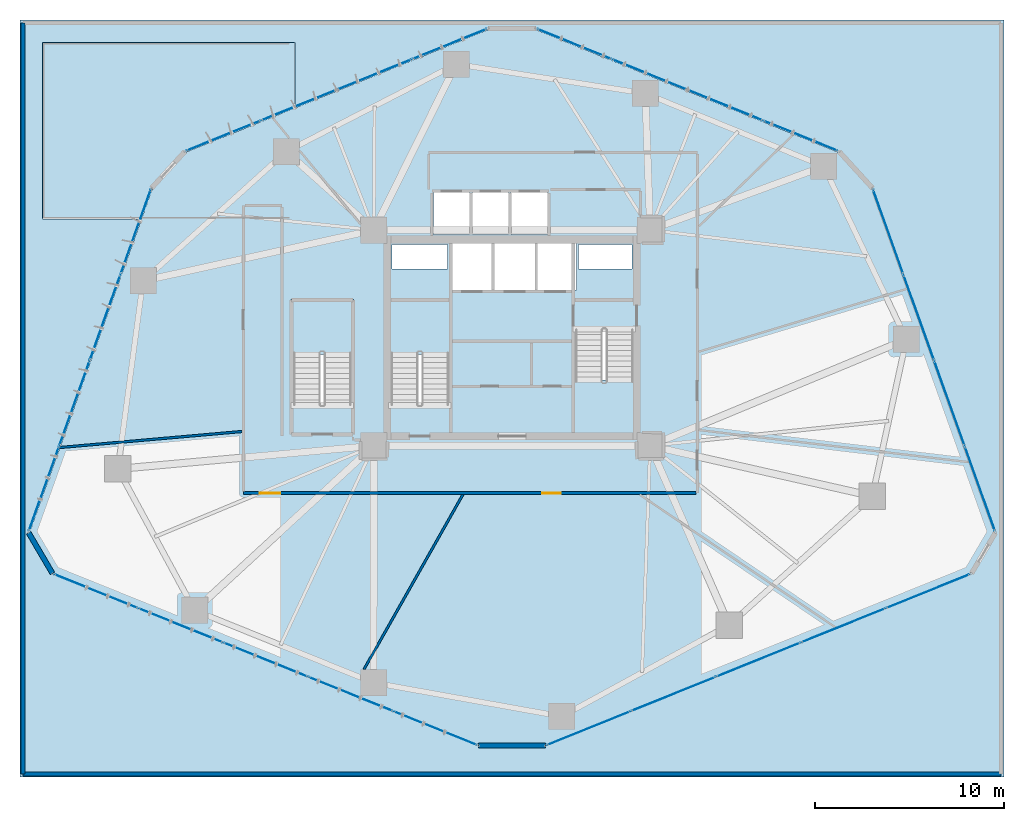
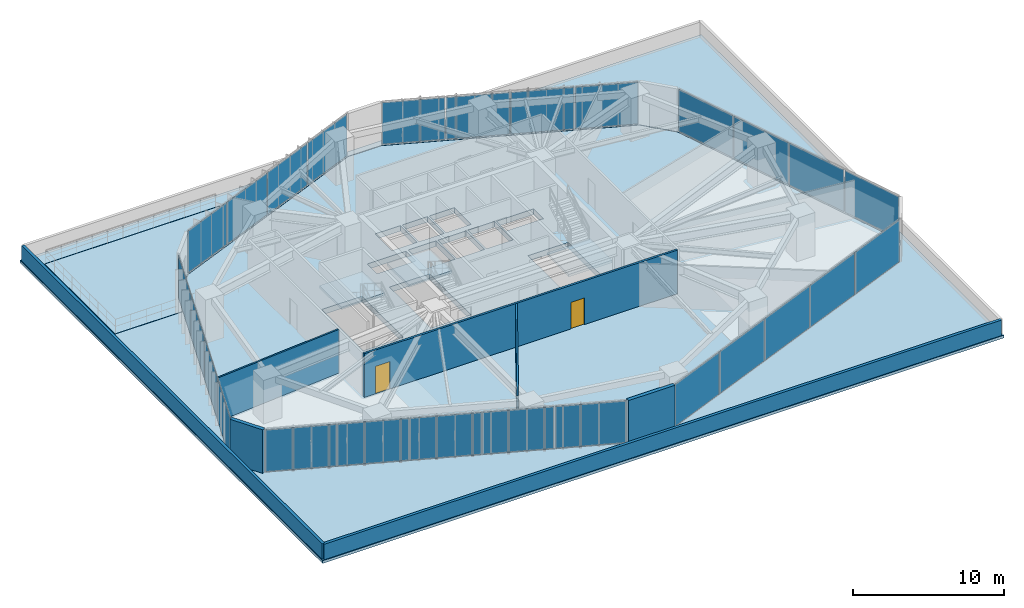
# One storey, part 17 of 23: 26 plates, 7 walls, 6 slabs, 2 doors, 2 openings, 9 elements without a shape of their own.
"""IFC4 building model written with IfcOpenShell, lengths in metres."""

import ifcopenshell
import ifcopenshell.guid

model = None  # the IFC model being written
_history = None  # IfcOwnerHistory: only IFC2X3 demands one
_inside = {}  # id of a spatial element -> (the spatial element, [elements in it])
_under = {}  # id of a project, library or spatial element -> (it, [spatial elements below it])
_declared = {}  # id of a project -> (the project, [libraries it declares])
_typed = {}  # id of a type object -> (the type object, [elements of that type])
_made_of = {}  # id of a material, layer set ... -> (it, [elements and type objects made of it])


def new_model(schema):
    """Start an empty IFC model of exactly this schema.

    Asked for "IFC4X3", IfcOpenShell would pick the latest addendum, in which some entities
    have other attributes; the version numbers below select the first issue.
    IFC2X3 requires an IfcOwnerHistory on every rooted entity: one is made here for all.
    """
    global model, _history
    if schema == "IFC4X3":
        model = ifcopenshell.file(schema_version=(4, 3, 0, 0))
    else:
        model = ifcopenshell.file(schema=schema)
    _inside.clear()
    _under.clear()
    _declared.clear()
    _typed.clear()
    _made_of.clear()
    _history = None
    if model.schema == "IFC2X3":
        org = make("IfcOrganization", Name="unknown")
        user = make(
            "IfcPersonAndOrganization",
            ThePerson=make("IfcPerson", FamilyName="unknown"),
            TheOrganization=org,
        )
        app = make(
            "IfcApplication",
            ApplicationDeveloper=org,
            Version="unknown",
            ApplicationFullName="unknown",
            ApplicationIdentifier="unknown",
        )
        _history = make(
            "IfcOwnerHistory",
            OwningUser=user,
            OwningApplication=app,
            ChangeAction="ADDED",
            CreationDate=0,
        )
    return model


def make(cls, **values):
    """One entity of the class cls with the attributes given. An attribute that is None is left unset."""
    return model.create_entity(
        cls, **{name: value for name, value in values.items() if value is not None}
    )


def rooted(cls, **values):
    """An entity with a GlobalId (a new one), such as an element, a storey or a relation."""
    return make(cls, GlobalId=ifcopenshell.guid.new(), OwnerHistory=_history, **values)


def si_unit(unit_type, name, prefix=None):
    """IfcSIUnit, for example si_unit("LENGTHUNIT", "METRE", prefix="MILLI")."""
    return make("IfcSIUnit", UnitType=unit_type, Prefix=prefix, Name=name)


def assignment(units):
    """IfcUnitAssignment: the units of a project."""
    return None if units is None else make("IfcUnitAssignment", Units=units)


def point(xyz):
    """IfcCartesianPoint."""
    return None if xyz is None else make("IfcCartesianPoint", Coordinates=xyz)


def direction(xyz):
    """IfcDirection."""
    return None if xyz is None else make("IfcDirection", DirectionRatios=xyz)


def frame(location, z_axis=None, x_axis=None):
    """IfcAxis2Placement3D, a coordinate frame: its origin and axes. An axis left out is left unset."""
    return make(
        "IfcAxis2Placement3D",
        Location=point(location),
        Axis=direction(z_axis),
        RefDirection=direction(x_axis),
    )


def frame_2d(location, x_axis=None):
    """IfcAxis2Placement2D, a coordinate frame in the plane: its origin and x axis."""
    return make(
        "IfcAxis2Placement2D", Location=point(location), RefDirection=direction(x_axis)
    )


def origin():
    """The frame at (0, 0, 0) with its axes left unset."""
    return frame((0.0, 0.0, 0.0))


def origin_2d():
    """The frame at (0, 0) in the plane with its x axis left unset."""
    return frame_2d((0.0, 0.0))


def place(relative_to, where):
    """IfcLocalPlacement: puts the frame where relative to a parent placement (None: the world)."""
    return make(
        "IfcLocalPlacement", PlacementRelTo=relative_to, RelativePlacement=where
    )


def context(
    kind, dimensions, precision=None, world=None, true_north=None, identifier=None
):
    """IfcGeometricRepresentationContext, for example the 3D "Model" context."""
    return make(
        "IfcGeometricRepresentationContext",
        ContextIdentifier=identifier,
        ContextType=kind,
        CoordinateSpaceDimension=dimensions,
        Precision=precision,
        WorldCoordinateSystem=world,
        TrueNorth=true_north,
    )


def subcontext(parent, identifier, kind, view, scale=None):
    """IfcGeometricRepresentationSubContext, for example "Body" below "Model"."""
    return make(
        "IfcGeometricRepresentationSubContext",
        ContextIdentifier=identifier,
        ContextType=kind,
        ParentContext=parent,
        TargetScale=scale,
        TargetView=view,
    )


def project(units=None, contexts=None):
    """IfcProject with its units and contexts."""
    return rooted(
        "IfcProject",
        Name="project",
        RepresentationContexts=contexts,
        UnitsInContext=assignment(units),
    )


def spatial(cls, under=None, at=None, **own):
    """A site, building, storey or space (cls), placed at a placement, below another one or the project."""
    s = rooted(cls, ObjectPlacement=at, **own)
    if under is not None:
        _under.setdefault(under.id(), (under, []))[1].append(s)
    return s


def polyline(points):
    """IfcPolyline through the points."""
    return make("IfcPolyline", Points=[point(p) for p in points])


def profile(cls, at=None, kind="AREA", **sizes):
    """A parametric profile (cls). Its sizes go by their IFC names, for example OverallWidth=200.0."""
    return make(cls, ProfileType=kind, Position=at, **sizes)


def rectangle(**sizes):
    """IfcRectangleProfileDef."""
    return profile("IfcRectangleProfileDef", **sizes)


def outline(outer, holes=None, kind="AREA"):
    """IfcArbitraryClosedProfileDef: a profile drawn as a closed curve; with holes, ...WithVoids."""
    if holes is None:
        return make("IfcArbitraryClosedProfileDef", ProfileType=kind, OuterCurve=outer)
    return make(
        "IfcArbitraryProfileDefWithVoids",
        ProfileType=kind,
        OuterCurve=outer,
        InnerCurves=holes,
    )


def extrude(swept, where, along, depth):
    """IfcExtrudedAreaSolid: the profile swept, set in the frame where, extruded along a direction by depth."""
    return make(
        "IfcExtrudedAreaSolid",
        SweptArea=swept,
        Position=where,
        ExtrudedDirection=direction(along),
        Depth=depth,
    )


def shape(context_of_items, identifier, shape_type, items):
    """IfcShapeRepresentation: the items that make up one representation, for example the "Body"."""
    return make(
        "IfcShapeRepresentation",
        ContextOfItems=context_of_items,
        RepresentationIdentifier=identifier,
        RepresentationType=shape_type,
        Items=items,
    )


def source(mapping_origin, context_of_items, identifier, shape_type, items):
    """IfcRepresentationMap: a shape defined once, which mapped items show again and again."""
    return make(
        "IfcRepresentationMap",
        MappingOrigin=mapping_origin,
        MappedRepresentation=shape(context_of_items, identifier, shape_type, items),
    )


def transform(
    local_origin,
    x_axis=None,
    y_axis=None,
    z_axis=None,
    scale=None,
    scale2=None,
    scale3=None,
    uniform=True,
):
    """IfcCartesianTransformationOperator3D, or its non-uniform kind. x_axis, y_axis, z_axis: its Axis1, 2, 3."""
    if uniform:
        return make(
            "IfcCartesianTransformationOperator3D",
            Axis1=direction(x_axis),
            Axis2=direction(y_axis),
            LocalOrigin=point(local_origin),
            Scale=scale,
            Axis3=direction(z_axis),
        )
    return make(
        "IfcCartesianTransformationOperator3DnonUniform",
        Axis1=direction(x_axis),
        Axis2=direction(y_axis),
        LocalOrigin=point(local_origin),
        Scale=scale,
        Axis3=direction(z_axis),
        Scale2=scale2,
        Scale3=scale3,
    )


def mapped(mapping_source, mapping_target):
    """IfcMappedItem: shows the shape of a source again, moved by a transform."""
    return make(
        "IfcMappedItem", MappingSource=mapping_source, MappingTarget=mapping_target
    )


def material(Name=None, Category=None):
    """IfcMaterial."""
    return make("IfcMaterial", Name=Name, Category=Category)


def layer(
    of_material, thickness, ventilated=None, Name=None, Category=None, Priority=None
):
    """IfcMaterialLayer: one layer of a wall or slab, of a material (None: an air gap)."""
    return make(
        "IfcMaterialLayer",
        Material=of_material,
        LayerThickness=thickness,
        IsVentilated=ventilated,
        Name=Name,
        Category=Category,
        Priority=Priority,
    )


def layer_set(layers, Name=None):
    """IfcMaterialLayerSet."""
    return make("IfcMaterialLayerSet", MaterialLayers=layers, LayerSetName=Name)


def made_of(thing, what):
    """Note that an element or type object is made of a material, layer set ...; save() writes the relation."""
    if what is not None:
        _made_of.setdefault(what.id(), (what, []))[1].append(thing)
    return thing


def type_object(cls, material=None, **own):
    """A type object (cls), such as IfcWallType, which elements share."""
    return made_of(rooted(cls, **own), material)


def type_shapes(of_type, sources):
    """Give a type object the sources (RepresentationMaps) that its elements show as mapped items."""
    of_type.RepresentationMaps = sources


def element(
    cls,
    number,
    at=None,
    inside=None,
    cuts=None,
    type_object=None,
    material=None,
    context=None,
    identifier="Body",
    shape_type=None,
    held_by="IfcProductDefinitionShape",
    body=None,
    shapes=None,
    **own,
):
    """One element of the class cls, such as IfcWall. Its Tag is "e" and its number.

    at: its placement. inside: the storey or other place that contains it. cuts: it is an
    opening in that element (IfcRelVoidsElement). A single representation is given by context,
    identifier, shape_type and body (its items); several are given by shapes. held_by: the class
    of the entity that holds the representations. save() writes the other relations.
    """
    e = rooted(cls, Tag="e%d" % number, ObjectPlacement=at, **own)
    if body is not None:
        shapes = [shape(context, identifier, shape_type, body)]
    if shapes is not None:
        e.Representation = make(held_by, Representations=shapes)
    if inside is not None:
        _inside.setdefault(inside.id(), (inside, []))[1].append(e)
    if cuts is not None:
        rooted(
            "IfcRelVoidsElement", RelatingBuildingElement=cuts, RelatedOpeningElement=e
        )
    if type_object is not None:
        _typed.setdefault(type_object.id(), (type_object, []))[1].append(e)
    return made_of(e, material)


def fill(opening, filler):
    """IfcRelFillsElement: the door or window that sits in an opening."""
    return rooted(
        "IfcRelFillsElement",
        RelatingOpeningElement=opening,
        RelatedBuildingElement=filler,
    )


def aggregate(whole, parts):
    """IfcRelAggregates: a whole, such as a stair, and the parts it consists of."""
    return rooted("IfcRelAggregates", RelatingObject=whole, RelatedObjects=parts)


def save(model, path):
    """Write the relations noted so far, then the file.

    IfcRelAggregates (storeys below a building ...), IfcRelContainedInSpatialStructure (elements
    in a storey), IfcRelDefinesByType, IfcRelAssociatesMaterial and IfcRelDeclares: one each for
    every whole, place, type object, material and project.
    """
    for whole, parts in _under.values():
        aggregate(whole, parts)
    for where, things in _inside.values():
        rooted(
            "IfcRelContainedInSpatialStructure",
            RelatedElements=things,
            RelatingStructure=where,
        )
    for kind, things in _typed.values():
        rooted("IfcRelDefinesByType", RelatedObjects=things, RelatingType=kind)
    for what, things in _made_of.values():
        rooted("IfcRelAssociatesMaterial", RelatedObjects=things, RelatingMaterial=what)
    for by, libraries in _declared.values():
        rooted("IfcRelDeclares", RelatingContext=by, RelatedDefinitions=libraries)
    model.write(path)


model = new_model("IFC4")

# Units and contexts
model_context = context("Model", 3, precision=1e-05, world=origin(), true_north=direction((0.0, 1.0)))
body_context = subcontext(model_context, "Body", "Model", "MODEL_VIEW")
ifc_project = project(units=[si_unit("LENGTHUNIT", "METRE"), si_unit("AREAUNIT", "SQUARE_METRE"), si_unit("VOLUMEUNIT", "CUBIC_METRE"), si_unit("PLANEANGLEUNIT", "RADIAN"), si_unit("MASSUNIT", "GRAM", prefix="KILO")], contexts=[model_context])

# Site, building, storey
site_placement = place(None, origin())
site = spatial("IfcSite", under=ifc_project, at=site_placement, CompositionType="ELEMENT")
building_placement = place(site_placement, origin())
building = spatial("IfcBuilding", under=site, at=building_placement, Name="Talar Marvaseh", CompositionType="ELEMENT")
storey_placement = place(building_placement, frame((0.0, 0.0, 24.0)))
storey = spatial("IfcBuildingStorey", under=building, at=storey_placement, Name="L05", CompositionType="ELEMENT", Elevation=24.0)

# Slabs
ifc_material_1 = material(Name="Precast concrete C45/55", Category="concrete")
ifc_layer_1 = layer(ifc_material_1, 0.22509765625)
ifc_layer_set_1 = layer_set([ifc_layer_1], Name="Precast concrete C45/55")
slab_type_1 = type_object("IfcSlabType", Name="Entrance Canopy Roof Slab 225", PredefinedType="ROOF", material=ifc_layer_set_1)
slab_1_placement = place(storey_placement, frame((0.0, 0.0, -0.22509765625)))
element("IfcSlab", 1, at=slab_1_placement, inside=storey, type_object=slab_type_1, Name="L05 Podium Main Roof Deck Slab", PredefinedType="ROOF", context=body_context, shape_type="SweptSolid", body=[
    extrude(outline(polyline([(0.0, 48.0), (52.0, 48.0), (52.0, 8.0), (0.0, 8.0), (0.0, 48.0)]), holes=[polyline([(1.754150390625, 18.77001953125), (24.22802734375, 9.694091796875), (27.77197265625, 9.694091796875), (50.245849609375, 18.77001953125), (51.511962890625, 20.92578125), (45.027587890625, 39.08251953125), (43.253662109375, 41.02685546875), (27.261962890625, 47.510009765625), (24.738037109375, 47.510009765625), (14.52001953125, 43.367431640625), (14.52001953125, 46.820068359375), (1.179931640625, 46.820068359375), (1.179931640625, 37.47998046875), (6.400146484375, 37.47998046875), (0.488037109375, 20.92578125), (1.754150390625, 18.77001953125)])]), origin(), (0.0, 0.0, 1.0), 0.22509765625),
])
ifc_material_2 = material(Name="Concrete C40/50", Category="concrete")
ifc_layer_2 = layer(ifc_material_2, 0.2548828125)
ifc_layer_set_2 = layer_set([ifc_layer_2], Name="Concrete C40/50")
slab_type_2 = type_object("IfcSlabType", Name="Podium Garden External Terrace Slab 255", PredefinedType="FLOOR", material=ifc_layer_set_2)
slab_2_placement = place(storey_placement, frame((0.0, 0.0, -0.2548828125)))
element("IfcSlab", 2, at=slab_2_placement, inside=storey, type_object=slab_type_2, Name="L05 Podium Roof Planted Garden Terrace", PredefinedType="FLOOR", context=body_context, shape_type="SweptSolid", body=[
    extrude(outline(polyline([(1.199951171875, 37.5), (1.199951171875, 46.800048828125), (14.5, 46.800048828125), (14.5, 43.3701171875), (8.740478515625, 41.03515625), (6.9638671875, 39.087890625), (6.396728515625, 37.5), (1.199951171875, 37.5)])), origin(), (0.0, 0.0, 1.0), 0.2548828125),
])

# Stair, slab
stair_type = type_object("IfcStairType", Name="Reinforced Concrete Half-Turn Exit Stair Type B", PredefinedType="HALF_TURN_STAIR", material=ifc_material_2)
stair_1_placement = place(storey_placement, origin())
stair_1 = element("IfcStair", 3, at=stair_1_placement, inside=storey, type_object=stair_type, Name="L05 Tower West Core Exit Stair", PredefinedType="HALF_TURN_STAIR")
ifc_layer_3 = layer(ifc_material_2, 0.199951171875)
ifc_layer_set_3 = layer_set([ifc_layer_3], Name="Concrete C40/50")
slab_type_3 = type_object("IfcSlabType", Name="Reinforced Concrete Stair Half-Landing Slab 200", PredefinedType="LANDING", material=ifc_layer_set_3)
slab_3_placement = place(storey_placement, frame((0.0, 0.0, 1.699951171875)))
slab_3 = element("IfcSlab", 4, at=slab_3_placement, type_object=slab_type_3, Name="ST-1 landing 1", PredefinedType="LANDING", context=body_context, shape_type="SweptSolid", body=[
    extrude(outline(polyline([(22.780029296875, 30.330078125), (22.780029296875, 33.219970703125), (19.47998046875, 33.219970703125), (19.47998046875, 30.330078125), (22.780029296875, 30.330078125)])), origin(), (0.0, 0.0, 1.0), 0.199951171875),
])
aggregate(stair_1, [slab_3])

stair_2_placement = place(storey_placement, origin())
stair_2 = element("IfcStair", 5, at=stair_2_placement, inside=storey, type_object=stair_type, Name="L05 Tower East Core Exit Stair", PredefinedType="HALF_TURN_STAIR")
slab_4_placement = place(storey_placement, frame((0.0, 0.0, 1.699951171875)))
slab_4 = element("IfcSlab", 6, at=slab_4_placement, type_object=slab_type_3, Name="ST-2 landing 1", PredefinedType="LANDING", context=body_context, shape_type="SweptSolid", body=[
    extrude(outline(polyline([(29.219970703125, 28.969970703125), (29.219970703125, 26.080078125), (32.52001953125, 26.080078125), (32.52001953125, 28.969970703125), (29.219970703125, 28.969970703125)])), origin(), (0.0, 0.0, 1.0), 0.199951171875),
])
aggregate(stair_2, [slab_4])

stair_3_placement = place(storey_placement, origin())
stair_3 = element("IfcStair", 7, at=stair_3_placement, inside=storey, type_object=stair_type, Name="L05 Museum & Podium Auxiliary Exit Stair", PredefinedType="HALF_TURN_STAIR")
slab_5_placement = place(storey_placement, frame((0.0, 0.0, 1.699951171875)))
slab_5 = element("IfcSlab", 8, at=slab_5_placement, type_object=slab_type_3, Name="ST-3 landing 1", PredefinedType="LANDING", context=body_context, shape_type="SweptSolid", body=[
    extrude(outline(polyline([(17.6201171875, 30.330078125), (17.6201171875, 33.219970703125), (14.320068359375, 33.219970703125), (14.320068359375, 30.330078125), (17.6201171875, 30.330078125)])), origin(), (0.0, 0.0, 1.0), 0.199951171875),
])
aggregate(stair_3, [slab_5])

# Slab
ifc_material_3 = material(Name="Concrete C60/75", Category="concrete")
ifc_layer_4 = layer(ifc_material_3, 0.449951171875)
ifc_layer_set_4 = layer_set([ifc_layer_4], Name="Concrete C60/75")
slab_type_4 = type_object("IfcSlabType", Name="Structural Suspended Floor Slab 450", PredefinedType="FLOOR", material=ifc_layer_set_4)
slab_6_placement = place(storey_placement, frame((0.0, 0.0, -0.449951171875)))
element("IfcSlab", 9, at=slab_6_placement, inside=storey, type_object=slab_type_4, Name="L05 Tower Floor Slab", PredefinedType="FLOOR", context=body_context, shape_type="SweptSolid", body=[
    extrude(outline(polyline([(1.76806640625, 18.785888671875), (0.510009765625, 20.927978515625), (6.989990234375, 39.072021484375), (8.758056640625, 41.010009765625), (24.741943359375, 47.489990234375), (27.258056640625, 47.489990234375), (43.241943359375, 41.010009765625), (45.010009765625, 39.072021484375), (51.489990234375, 20.927978515625), (50.23193359375, 18.785888671875), (27.76806640625, 9.714111328125), (24.23193359375, 9.714111328125), (1.76806640625, 18.785888671875)]), holes=[polyline([(22.659912109375, 27.64990234375), (22.659912109375, 33.10009765625), (19.60009765625, 33.10009765625), (19.60009765625, 27.64990234375), (22.659912109375, 27.64990234375)]), polyline([(29.340087890625, 31.64990234375), (29.340087890625, 26.199951171875), (32.39990234375, 26.199951171875), (32.39990234375, 31.64990234375), (29.340087890625, 31.64990234375)]), polyline([(17.5, 27.64990234375), (17.5, 33.10009765625), (14.43994140625, 33.10009765625), (14.43994140625, 27.64990234375), (17.5, 27.64990234375)]), polyline([(22.800048828125, 33.719970703125), (24.93994140625, 33.719970703125), (24.93994140625, 36.179931640625), (22.800048828125, 36.179931640625), (22.800048828125, 33.719970703125)]), polyline([(25.080078125, 33.719970703125), (27.219970703125, 33.719970703125), (27.219970703125, 36.179931640625), (25.080078125, 36.179931640625), (25.080078125, 33.719970703125)]), polyline([(27.360107421875, 33.719970703125), (29.39990234375, 33.719970703125), (29.39990234375, 36.179931640625), (27.360107421875, 36.179931640625), (27.360107421875, 33.719970703125)]), polyline([(21.840087890625, 36.659912109375), (23.760009765625, 36.659912109375), (23.760009765625, 38.8798828125), (21.840087890625, 38.8798828125), (21.840087890625, 36.659912109375)]), polyline([(23.89990234375, 36.659912109375), (25.820068359375, 36.659912109375), (25.820068359375, 38.8798828125), (23.89990234375, 38.8798828125), (23.89990234375, 36.659912109375)]), polyline([(25.9599609375, 36.659912109375), (27.8798828125, 36.659912109375), (27.8798828125, 38.8798828125), (25.9599609375, 38.8798828125), (25.9599609375, 36.659912109375)]), polyline([(19.659912109375, 34.840087890625), (22.60009765625, 34.840087890625), (22.60009765625, 36.139892578125), (19.659912109375, 36.139892578125), (19.659912109375, 34.840087890625)]), polyline([(29.52001953125, 34.840087890625), (32.340087890625, 34.840087890625), (32.340087890625, 36.139892578125), (29.52001953125, 36.139892578125), (29.52001953125, 34.840087890625)])]), origin(), (0.0, 0.0, 1.0), 0.449951171875),
])

# Curtain wall, plates
ifc_material_4 = material(Name="Architectural Aluminium", Category="aluminium")
ifc_layer_5 = layer(ifc_material_4, 0.219970703125)
ifc_layer_set_5 = layer_set([ifc_layer_5], Name="Architectural Aluminium")
curtain_wall_type = type_object("IfcCurtainWallType", Name="Unitised Low-E Museum Curtain Wall Z1", PredefinedType="NOTDEFINED", material=ifc_layer_set_5)
curtain_wall_1_placement = place(storey_placement, origin())
curtain_wall_1 = element("IfcCurtainWall", 10, at=curtain_wall_1_placement, inside=storey, type_object=curtain_wall_type, Name="L05 Unitised Low-E Museum Curtain Wall Z1", PredefinedType="NOTDEFINED")
ifc_material_5 = material(Name="Laminated Low-E Solar Glass", Category="glass")
ifc_layer_6 = layer(ifc_material_5, 0.028076171875)
ifc_layer_set_6 = layer_set([ifc_layer_6], Name="Laminated Low-E Solar Glass")
plate_type = type_object("IfcPlateType", Name="Double-Glazed Low-E Vision Curtain Panel 28", PredefinedType="CURTAIN_PANEL", material=ifc_layer_set_6)
shared_shape_1 = source(origin(), body_context, "Body", "SweptSolid", [
    extrude(rectangle(XDim=4.696533203125, YDim=0.028076171875, at=origin_2d()), origin(), (0.0, 0.0, 1.0), 3.3701171875),
])
plate_1_placement = place(storey_placement, frame((1.270263671875, 23.235107421875, 0.074951171875), z_axis=(0.0, 0.0, 1.0), x_axis=(0.336336396997, 0.941741911595, 0.0)))
plate_1 = element("IfcPlate", 11, at=plate_1_placement, type_object=plate_type, Name="CW-Z1 panel 1.1", PredefinedType="CURTAIN_PANEL", context=body_context, shape_type="MappedRepresentation", body=[
    mapped(shared_shape_1, transform((0.0, 0.0, 0.0), x_axis=(1.0, 0.0, 0.0), y_axis=(0.0, 1.0, 0.0), z_axis=(0.0, 0.0, 1.0), scale=1.0)),
])
plate_2_placement = place(storey_placement, frame((6.11669921875, 36.805419921875, 0.074951171875), z_axis=(0.0, 0.0, 1.0), x_axis=(0.336336396997, 0.941741911595, 0.0)))
plate_2 = element("IfcPlate", 12, at=plate_2_placement, type_object=plate_type, Name="CW-Z1 panel 4.1", PredefinedType="CURTAIN_PANEL", context=body_context, shape_type="MappedRepresentation", body=[
    mapped(shared_shape_1, transform((0.0, 0.0, 0.0), x_axis=(1.0, 0.0, 0.0), y_axis=(0.0, 1.0, 0.0), z_axis=(0.0, 0.0, 1.0), scale=1.0)),
])

curtain_wall_2_placement = place(storey_placement, origin())
curtain_wall_2 = element("IfcCurtainWall", 13, at=curtain_wall_2_placement, inside=storey, type_object=curtain_wall_type, Name="L05 Unitised Low-E Museum Curtain Wall Z1", PredefinedType="NOTDEFINED")
plate_3_placement = place(storey_placement, frame((45.88330078125, 36.805419921875, 0.074951171875), z_axis=(0.0, 0.0, 1.0), x_axis=(0.336336396997, -0.941741911595, 0.0)))
plate_3 = element("IfcPlate", 14, at=plate_3_placement, type_object=plate_type, Name="CW-Z1 panel 1.1", PredefinedType="CURTAIN_PANEL", context=body_context, shape_type="MappedRepresentation", body=[
    mapped(shared_shape_1, transform((0.0, 0.0, 0.0), x_axis=(1.0, 0.0, 0.0), y_axis=(0.0, 1.0, 0.0), z_axis=(0.0, 0.0, 1.0), scale=1.0)),
])
plate_4_placement = place(storey_placement, frame((50.729736328125, 23.235107421875, 0.074951171875), z_axis=(0.0, 0.0, 1.0), x_axis=(0.336336396997, -0.941741911595, 0.0)))
plate_4 = element("IfcPlate", 15, at=plate_4_placement, type_object=plate_type, Name="CW-Z1 panel 4.1", PredefinedType="CURTAIN_PANEL", context=body_context, shape_type="MappedRepresentation", body=[
    mapped(shared_shape_1, transform((0.0, 0.0, 0.0), x_axis=(1.0, 0.0, 0.0), y_axis=(0.0, 1.0, 0.0), z_axis=(0.0, 0.0, 1.0), scale=1.0)),
])

# Plate
shared_shape_2 = source(origin(), body_context, "Body", "SweptSolid", [
    extrude(rectangle(XDim=4.736572265625, YDim=0.028076171875, at=origin_2d()), origin(), (0.0, 0.0, 1.0), 3.3701171875),
])
plate_5_placement = place(storey_placement, frame((2.883544921875, 27.752197265625, 0.074951171875), z_axis=(0.0, 0.0, 1.0), x_axis=(0.336336396997, 0.941741911595, 0.0)))
plate_5 = element("IfcPlate", 16, at=plate_5_placement, type_object=plate_type, Name="CW-Z1 panel 2.1", PredefinedType="CURTAIN_PANEL", context=body_context, shape_type="MappedRepresentation", body=[
    mapped(shared_shape_2, transform((0.0, 0.0, 0.0), x_axis=(1.0, 0.0, 0.0), y_axis=(0.0, 1.0, 0.0), z_axis=(0.0, 0.0, 1.0), scale=1.0)),
])

plate_6_placement = place(storey_placement, frame((4.50341796875, 32.2880859375, 0.074951171875), z_axis=(0.0, 0.0, 1.0), x_axis=(0.336336396997, 0.941741911595, 0.0)))
plate_6 = element("IfcPlate", 17, at=plate_6_placement, type_object=plate_type, Name="CW-Z1 panel 3.1", PredefinedType="CURTAIN_PANEL", context=body_context, shape_type="MappedRepresentation", body=[
    mapped(shared_shape_2, transform((0.0, 0.0, 0.0), x_axis=(1.0, 0.0, 0.0), y_axis=(0.0, 1.0, 0.0), z_axis=(0.0, 0.0, 1.0), scale=1.0)),
])

aggregate(curtain_wall_1, [plate_1, plate_5, plate_6, plate_2])

plate_7_placement = place(storey_placement, frame((47.49658203125, 32.2880859375, 0.074951171875), z_axis=(0.0, 0.0, 1.0), x_axis=(0.336336396997, -0.941741911595, 0.0)))
plate_7 = element("IfcPlate", 18, at=plate_7_placement, type_object=plate_type, Name="CW-Z1 panel 2.1", PredefinedType="CURTAIN_PANEL", context=body_context, shape_type="MappedRepresentation", body=[
    mapped(shared_shape_2, transform((0.0, 0.0, 0.0), x_axis=(1.0, 0.0, 0.0), y_axis=(0.0, 1.0, 0.0), z_axis=(0.0, 0.0, 1.0), scale=1.0)),
])

plate_8_placement = place(storey_placement, frame((49.116455078125, 27.752197265625, 0.074951171875), z_axis=(0.0, 0.0, 1.0), x_axis=(0.336336396997, -0.941741911595, 0.0)))
plate_8 = element("IfcPlate", 19, at=plate_8_placement, type_object=plate_type, Name="CW-Z1 panel 3.1", PredefinedType="CURTAIN_PANEL", context=body_context, shape_type="MappedRepresentation", body=[
    mapped(shared_shape_2, transform((0.0, 0.0, 0.0), x_axis=(1.0, 0.0, 0.0), y_axis=(0.0, 1.0, 0.0), z_axis=(0.0, 0.0, 1.0), scale=1.0)),
])

aggregate(curtain_wall_2, [plate_3, plate_7, plate_8, plate_4])

# Curtain wall, plates
curtain_wall_3_placement = place(storey_placement, origin())
curtain_wall_3 = element("IfcCurtainWall", 20, at=curtain_wall_3_placement, inside=storey, type_object=curtain_wall_type, Name="L05 Unitised Low-E Museum Curtain Wall Z1", PredefinedType="NOTDEFINED")
shared_shape_3 = source(origin(), body_context, "Body", "SweptSolid", [
    extrude(rectangle(XDim=4.19189453125, YDim=0.028076171875, at=origin_2d()), origin(), (0.0, 0.0, 1.0), 3.3701171875),
])
plate_9_placement = place(storey_placement, frame((10.751953125, 41.883056640625, 0.074951171875), z_axis=(0.0, 0.0, 1.0), x_axis=(0.926739268226, 0.375705108733, 0.0)))
plate_9 = element("IfcPlate", 21, at=plate_9_placement, type_object=plate_type, Name="CW-Z1 panel 1.1", PredefinedType="CURTAIN_PANEL", context=body_context, shape_type="MappedRepresentation", body=[
    mapped(shared_shape_3, transform((0.0, 0.0, 0.0), x_axis=(1.0, 0.0, 0.0), y_axis=(0.0, 1.0, 0.0), z_axis=(0.0, 0.0, 1.0), scale=1.0)),
])
plate_10_placement = place(storey_placement, frame((22.702880859375, 46.72802734375, 0.074951171875), z_axis=(0.0, 0.0, 1.0), x_axis=(0.926739268226, 0.375705108733, 0.0)))
plate_10 = element("IfcPlate", 22, at=plate_10_placement, type_object=plate_type, Name="CW-Z1 panel 4.1", PredefinedType="CURTAIN_PANEL", context=body_context, shape_type="MappedRepresentation", body=[
    mapped(shared_shape_3, transform((0.0, 0.0, 0.0), x_axis=(1.0, 0.0, 0.0), y_axis=(0.0, 1.0, 0.0), z_axis=(0.0, 0.0, 1.0), scale=1.0)),
])

curtain_wall_4_placement = place(storey_placement, origin())
curtain_wall_4 = element("IfcCurtainWall", 23, at=curtain_wall_4_placement, inside=storey, type_object=curtain_wall_type, Name="L05 Unitised Low-E Museum Curtain Wall Z1", PredefinedType="NOTDEFINED")
plate_11_placement = place(storey_placement, frame((29.297119140625, 46.72802734375, 0.074951171875), z_axis=(0.0, 0.0, 1.0), x_axis=(0.926739268226, -0.375705108733, 0.0)))
plate_11 = element("IfcPlate", 24, at=plate_11_placement, type_object=plate_type, Name="CW-Z1 panel 1.1", PredefinedType="CURTAIN_PANEL", context=body_context, shape_type="MappedRepresentation", body=[
    mapped(shared_shape_3, transform((0.0, 0.0, 0.0), x_axis=(1.0, 0.0, 0.0), y_axis=(0.0, 1.0, 0.0), z_axis=(0.0, 0.0, 1.0), scale=1.0)),
])
plate_12_placement = place(storey_placement, frame((41.248046875, 41.883056640625, 0.074951171875), z_axis=(0.0, 0.0, 1.0), x_axis=(0.926739268226, -0.375705108733, 0.0)))
plate_12 = element("IfcPlate", 25, at=plate_12_placement, type_object=plate_type, Name="CW-Z1 panel 4.1", PredefinedType="CURTAIN_PANEL", context=body_context, shape_type="MappedRepresentation", body=[
    mapped(shared_shape_3, transform((0.0, 0.0, 0.0), x_axis=(1.0, 0.0, 0.0), y_axis=(0.0, 1.0, 0.0), z_axis=(0.0, 0.0, 1.0), scale=1.0)),
])

# Plate
shared_shape_4 = source(origin(), body_context, "Body", "SweptSolid", [
    extrude(rectangle(XDim=4.23193359375, YDim=0.028076171875, at=origin_2d()), origin(), (0.0, 0.0, 1.0), 3.3701171875),
])
plate_13_placement = place(storey_placement, frame((14.7294921875, 43.49560546875, 0.074951171875), z_axis=(0.0, 0.0, 1.0), x_axis=(0.926739268226, 0.375705108733, 0.0)))
plate_13 = element("IfcPlate", 26, at=plate_13_placement, type_object=plate_type, Name="CW-Z1 panel 2.1", PredefinedType="CURTAIN_PANEL", context=body_context, shape_type="MappedRepresentation", body=[
    mapped(shared_shape_4, transform((0.0, 0.0, 0.0), x_axis=(1.0, 0.0, 0.0), y_axis=(0.0, 1.0, 0.0), z_axis=(0.0, 0.0, 1.0), scale=1.0)),
])

plate_14_placement = place(storey_placement, frame((18.7255859375, 45.115478515625, 0.074951171875), z_axis=(0.0, 0.0, 1.0), x_axis=(0.926739268226, 0.375705108733, 0.0)))
plate_14 = element("IfcPlate", 27, at=plate_14_placement, type_object=plate_type, Name="CW-Z1 panel 3.1", PredefinedType="CURTAIN_PANEL", context=body_context, shape_type="MappedRepresentation", body=[
    mapped(shared_shape_4, transform((0.0, 0.0, 0.0), x_axis=(1.0, 0.0, 0.0), y_axis=(0.0, 1.0, 0.0), z_axis=(0.0, 0.0, 1.0), scale=1.0)),
])

aggregate(curtain_wall_3, [plate_9, plate_13, plate_14, plate_10])

plate_15_placement = place(storey_placement, frame((33.2744140625, 45.115478515625, 0.074951171875), z_axis=(0.0, 0.0, 1.0), x_axis=(0.926739268226, -0.375705108733, 0.0)))
plate_15 = element("IfcPlate", 28, at=plate_15_placement, type_object=plate_type, Name="CW-Z1 panel 2.1", PredefinedType="CURTAIN_PANEL", context=body_context, shape_type="MappedRepresentation", body=[
    mapped(shared_shape_4, transform((0.0, 0.0, 0.0), x_axis=(1.0, 0.0, 0.0), y_axis=(0.0, 1.0, 0.0), z_axis=(0.0, 0.0, 1.0), scale=1.0)),
])

plate_16_placement = place(storey_placement, frame((37.2705078125, 43.49560546875, 0.074951171875), z_axis=(0.0, 0.0, 1.0), x_axis=(0.926739268226, -0.375705108733, 0.0)))
plate_16 = element("IfcPlate", 29, at=plate_16_placement, type_object=plate_type, Name="CW-Z1 panel 3.1", PredefinedType="CURTAIN_PANEL", context=body_context, shape_type="MappedRepresentation", body=[
    mapped(shared_shape_4, transform((0.0, 0.0, 0.0), x_axis=(1.0, 0.0, 0.0), y_axis=(0.0, 1.0, 0.0), z_axis=(0.0, 0.0, 1.0), scale=1.0)),
])

aggregate(curtain_wall_4, [plate_11, plate_15, plate_16, plate_12])

# Curtain wall, plates
curtain_wall_5_placement = place(storey_placement, origin())
curtain_wall_5 = element("IfcCurtainWall", 30, at=curtain_wall_5_placement, inside=storey, type_object=curtain_wall_type, Name="L05 Unitised Low-E Museum Curtain Wall Z1", PredefinedType="NOTDEFINED")
shared_shape_5 = source(origin(), body_context, "Body", "SweptSolid", [
    extrude(rectangle(XDim=4.725341796875, YDim=0.028076171875, at=origin_2d()), origin(), (0.0, 0.0, 1.0), 3.3701171875),
])
plate_17_placement = place(storey_placement, frame((47.989501953125, 17.815673828125, 0.074951171875), z_axis=(0.0, 0.0, 1.0), x_axis=(-0.927241837109, -0.374463049598, 0.0)))
plate_17 = element("IfcPlate", 31, at=plate_17_placement, type_object=plate_type, Name="CW-Z1 panel 1.1", PredefinedType="CURTAIN_PANEL", context=body_context, shape_type="MappedRepresentation", body=[
    mapped(shared_shape_5, transform((0.0, 0.0, 0.0), x_axis=(1.0, 0.0, 0.0), y_axis=(0.0, 1.0, 0.0), z_axis=(0.0, 0.0, 1.0), scale=1.0)),
])
plate_18_placement = place(storey_placement, frame((30.055419921875, 10.572998046875, 0.074951171875), z_axis=(0.0, 0.0, 1.0), x_axis=(-0.927241837109, -0.374463049598, 0.0)))
plate_18 = element("IfcPlate", 32, at=plate_18_placement, type_object=plate_type, Name="CW-Z1 panel 5.1", PredefinedType="CURTAIN_PANEL", context=body_context, shape_type="MappedRepresentation", body=[
    mapped(shared_shape_5, transform((0.0, 0.0, 0.0), x_axis=(1.0, 0.0, 0.0), y_axis=(0.0, 1.0, 0.0), z_axis=(0.0, 0.0, 1.0), scale=1.0)),
])

curtain_wall_6_placement = place(storey_placement, origin())
curtain_wall_6 = element("IfcCurtainWall", 33, at=curtain_wall_6_placement, inside=storey, type_object=curtain_wall_type, Name="L05 Unitised Low-E Museum Curtain Wall Z1", PredefinedType="NOTDEFINED")
plate_19_placement = place(storey_placement, frame((21.944580078125, 10.572998046875, 0.074951171875), z_axis=(0.0, 0.0, 1.0), x_axis=(-0.927241837109, 0.374463049598, 0.0)))
plate_19 = element("IfcPlate", 34, at=plate_19_placement, type_object=plate_type, Name="CW-Z1 panel 1.1", PredefinedType="CURTAIN_PANEL", context=body_context, shape_type="MappedRepresentation", body=[
    mapped(shared_shape_5, transform((0.0, 0.0, 0.0), x_axis=(1.0, 0.0, 0.0), y_axis=(0.0, 1.0, 0.0), z_axis=(0.0, 0.0, 1.0), scale=1.0)),
])
plate_20_placement = place(storey_placement, frame((4.010498046875, 17.815673828125, 0.074951171875), z_axis=(0.0, 0.0, 1.0), x_axis=(-0.927241837109, 0.374463049598, 0.0)))
plate_20 = element("IfcPlate", 35, at=plate_20_placement, type_object=plate_type, Name="CW-Z1 panel 5.1", PredefinedType="CURTAIN_PANEL", context=body_context, shape_type="MappedRepresentation", body=[
    mapped(shared_shape_5, transform((0.0, 0.0, 0.0), x_axis=(1.0, 0.0, 0.0), y_axis=(0.0, 1.0, 0.0), z_axis=(0.0, 0.0, 1.0), scale=1.0)),
])

# Plate
shared_shape_6 = source(origin(), body_context, "Body", "SweptSolid", [
    extrude(rectangle(XDim=4.765380859375, YDim=0.028076171875, at=origin_2d()), origin(), (0.0, 0.0, 1.0), 3.3701171875),
])
type_shapes(plate_type, [shared_shape_1, shared_shape_2, shared_shape_3, shared_shape_4, shared_shape_5, shared_shape_6])
plate_21_placement = place(storey_placement, frame((43.515380859375, 16.0087890625, 0.074951171875), z_axis=(0.0, 0.0, 1.0), x_axis=(-0.927241837109, -0.374463049598, 0.0)))
plate_21 = element("IfcPlate", 36, at=plate_21_placement, type_object=plate_type, Name="CW-Z1 panel 2.1", PredefinedType="CURTAIN_PANEL", context=body_context, shape_type="MappedRepresentation", body=[
    mapped(shared_shape_6, transform((0.0, 0.0, 0.0), x_axis=(1.0, 0.0, 0.0), y_axis=(0.0, 1.0, 0.0), z_axis=(0.0, 0.0, 1.0), scale=1.0)),
])

plate_22_placement = place(storey_placement, frame((39.0224609375, 14.1943359375, 0.074951171875), z_axis=(0.0, 0.0, 1.0), x_axis=(-0.927241837109, -0.374463049598, 0.0)))
plate_22 = element("IfcPlate", 37, at=plate_22_placement, type_object=plate_type, Name="CW-Z1 panel 3.1", PredefinedType="CURTAIN_PANEL", context=body_context, shape_type="MappedRepresentation", body=[
    mapped(shared_shape_6, transform((0.0, 0.0, 0.0), x_axis=(1.0, 0.0, 0.0), y_axis=(0.0, 1.0, 0.0), z_axis=(0.0, 0.0, 1.0), scale=1.0)),
])

plate_23_placement = place(storey_placement, frame((34.52978515625, 12.3798828125, 0.074951171875), z_axis=(0.0, 0.0, 1.0), x_axis=(-0.927241837109, -0.374463049598, 0.0)))
plate_23 = element("IfcPlate", 38, at=plate_23_placement, type_object=plate_type, Name="CW-Z1 panel 4.1", PredefinedType="CURTAIN_PANEL", context=body_context, shape_type="MappedRepresentation", body=[
    mapped(shared_shape_6, transform((0.0, 0.0, 0.0), x_axis=(1.0, 0.0, 0.0), y_axis=(0.0, 1.0, 0.0), z_axis=(0.0, 0.0, 1.0), scale=1.0)),
])

aggregate(curtain_wall_5, [plate_17, plate_21, plate_22, plate_23, plate_18])

plate_24_placement = place(storey_placement, frame((17.47021484375, 12.3798828125, 0.074951171875), z_axis=(0.0, 0.0, 1.0), x_axis=(-0.927241837109, 0.374463049598, 0.0)))
plate_24 = element("IfcPlate", 39, at=plate_24_placement, type_object=plate_type, Name="CW-Z1 panel 2.1", PredefinedType="CURTAIN_PANEL", context=body_context, shape_type="MappedRepresentation", body=[
    mapped(shared_shape_6, transform((0.0, 0.0, 0.0), x_axis=(1.0, 0.0, 0.0), y_axis=(0.0, 1.0, 0.0), z_axis=(0.0, 0.0, 1.0), scale=1.0)),
])

plate_25_placement = place(storey_placement, frame((12.9775390625, 14.1943359375, 0.074951171875), z_axis=(0.0, 0.0, 1.0), x_axis=(-0.927241837109, 0.374463049598, 0.0)))
plate_25 = element("IfcPlate", 40, at=plate_25_placement, type_object=plate_type, Name="CW-Z1 panel 3.1", PredefinedType="CURTAIN_PANEL", context=body_context, shape_type="MappedRepresentation", body=[
    mapped(shared_shape_6, transform((0.0, 0.0, 0.0), x_axis=(1.0, 0.0, 0.0), y_axis=(0.0, 1.0, 0.0), z_axis=(0.0, 0.0, 1.0), scale=1.0)),
])

plate_26_placement = place(storey_placement, frame((8.484619140625, 16.0087890625, 0.074951171875), z_axis=(0.0, 0.0, 1.0), x_axis=(-0.927241837109, 0.374463049598, 0.0)))
plate_26 = element("IfcPlate", 41, at=plate_26_placement, type_object=plate_type, Name="CW-Z1 panel 4.1", PredefinedType="CURTAIN_PANEL", context=body_context, shape_type="MappedRepresentation", body=[
    mapped(shared_shape_6, transform((0.0, 0.0, 0.0), x_axis=(1.0, 0.0, 0.0), y_axis=(0.0, 1.0, 0.0), z_axis=(0.0, 0.0, 1.0), scale=1.0)),
])

aggregate(curtain_wall_6, [plate_19, plate_24, plate_25, plate_26, plate_20])

# Walls
ifc_layer_7 = layer(ifc_material_1, 0.27001953125)
ifc_layer_set_7 = layer_set([ifc_layer_7], Name="Precast concrete C45/55")
wall_type_1 = type_object("IfcWallType", Name="Chamfered Hexagonal Corner Pier Wall Z1 270", PredefinedType="SOLIDWALL", material=ifc_layer_set_7)
wall_1_placement = place(storey_placement, frame((1.71630859375, 18.755615234375, 0.0), z_axis=(0.0, 0.0, 1.0), x_axis=(-0.506423014461, 0.86228517929, 0.0)))
element("IfcWall", 42, at=wall_1_placement, inside=storey, type_object=wall_type_1, Name="L05 Chamfered Corner Limestone Pier 1", PredefinedType="SOLIDWALL", context=body_context, shape_type="SweptSolid", body=[
    extrude(rectangle(XDim=2.484130859375, YDim=0.27001953125, at=frame_2d((1.2421875, 0.0))), origin(), (0.0, 0.0, 1.0), 3.52001953125),
])
wall_2_placement = place(storey_placement, frame((27.76806640625, 9.654052734375, 0.0), z_axis=(0.0, 0.0, 1.0), x_axis=(-1.0, 0.0, 0.0)))
element("IfcWall", 43, at=wall_2_placement, inside=storey, type_object=wall_type_1, Name="L05 Chamfered Corner Limestone Pier 6", PredefinedType="SOLIDWALL", context=body_context, shape_type="SweptSolid", body=[
    extrude(rectangle(XDim=3.5361328125, YDim=0.27001953125, at=frame_2d((1.76806640625, 0.0))), origin(), (0.0, 0.0, 1.0), 3.52001953125),
])

# Wall, openings, doors
ifc_material_6 = material(Name="Gypsum Board Partition Assembly")
ifc_layer_8 = layer(ifc_material_6, 0.155029296875)
ifc_layer_set_8 = layer_set([ifc_layer_8], Name="Gypsum Board Partition Assembly")
wall_type_2 = type_object("IfcWallType", Name="Corridor Fire-Rated Acoustic Partition 155", PredefinedType="PARTITIONING", material=ifc_layer_set_8)
wall_3_placement = place(storey_placement, frame((35.716552734375, 23.0, 0.0), z_axis=(0.0, 0.0, 1.0), x_axis=(-1.0, 0.0, 0.0)))
wall_3 = element("IfcWall", 44, at=wall_3_placement, inside=storey, type_object=wall_type_2, Name="L05 Interior Partition Wall", PredefinedType="PARTITIONING", context=body_context, shape_type="SweptSolid", body=[
    extrude(rectangle(XDim=23.91650390625, YDim=0.155029296875, at=frame_2d((11.958251953125, 0.0))), origin(), (0.0, 0.0, 1.0), 3.52001953125),
])
opening_1_placement = place(wall_3_placement, frame((21.95166015625, 0.0, 0.0)))
opening_1 = element("IfcOpeningElement", 45, at=opening_1_placement, cuts=wall_3, Name="Opening DR-RM110", PredefinedType="OPENING", context=body_context, shape_type="SweptSolid", body=[
    extrude(rectangle(XDim=1.10009765625, YDim=2.199951171875, at=frame_2d((0.550048828125, 1.10009765625))), frame((0.0, 0.08740234375, 0.0), z_axis=(0.0, -1.0, 0.0), x_axis=(1.0, 0.0, 0.0)), (0.0, 0.0, 1.0), 0.175048828125),
])
opening_2_placement = place(wall_3_placement, frame((7.131103515625, 0.0, 0.0)))
opening_2 = element("IfcOpeningElement", 46, at=opening_2_placement, cuts=wall_3, Name="Opening DR-RM100", PredefinedType="OPENING", context=body_context, shape_type="SweptSolid", body=[
    extrude(rectangle(XDim=1.0, YDim=2.14990234375, at=frame_2d((0.5, 1.074951171875))), frame((0.0, 0.08740234375, 0.0), z_axis=(0.0, -1.0, 0.0), x_axis=(1.0, 0.0, 0.0)), (0.0, 0.0, 1.0), 0.175048828125),
])
ifc_material_7 = material(Name="Acoustic Engineered Oak Timber", Category="wood")
door_type_1 = type_object("IfcDoorType", Name="Corridor Fire-Rated Gallery Door 1000x2150", OperationType="NOTDEFINED", PredefinedType="DOOR", material=ifc_material_7)
shared_shape_7 = source(origin(), body_context, "Body", "SweptSolid", [
    extrude(rectangle(XDim=1.0, YDim=2.14990234375, at=frame_2d((0.5, 1.074951171875))), frame((0.0, 0.02490234375, 0.0), z_axis=(0.0, -1.0, 0.0), x_axis=(1.0, 0.0, 0.0)), (0.0, 0.0, 1.0), 0.050048828125),
])
type_shapes(door_type_1, [shared_shape_7])
door_1_placement = place(opening_2_placement, origin())
door_1 = element("IfcDoor", 47, at=door_1_placement, inside=storey, type_object=door_type_1, Name="L05 Curatorial Office Door", OperationType="SINGLE_SWING_LEFT", OverallHeight=2.14990234375, OverallWidth=1.0, PredefinedType="DOOR", context=body_context, shape_type="MappedRepresentation", body=[
    mapped(shared_shape_7, transform((0.0, 0.0, 0.0), x_axis=(1.0, 0.0, 0.0), y_axis=(0.0, 1.0, 0.0), z_axis=(0.0, 0.0, 1.0), scale=1.0)),
])
fill(opening_2, door_1)
door_type_2 = type_object("IfcDoorType", Name="Assembly and Reading Hall Door 1100x2200", OperationType="NOTDEFINED", PredefinedType="DOOR", material=ifc_material_7)
shared_shape_8 = source(origin(), body_context, "Body", "SweptSolid", [
    extrude(rectangle(XDim=1.10009765625, YDim=2.199951171875, at=frame_2d((0.550048828125, 1.10009765625))), frame((0.0, 0.02490234375, 0.0), z_axis=(0.0, -1.0, 0.0), x_axis=(1.0, 0.0, 0.0)), (0.0, 0.0, 1.0), 0.050048828125),
])
type_shapes(door_type_2, [shared_shape_8])
door_2_placement = place(opening_1_placement, origin())
door_2 = element("IfcDoor", 48, at=door_2_placement, inside=storey, type_object=door_type_2, Name="L05 Exhibition Gallery Door", OperationType="SINGLE_SWING_RIGHT", OverallHeight=2.199951171875, OverallWidth=1.10009765625, PredefinedType="DOOR", context=body_context, shape_type="MappedRepresentation", body=[
    mapped(shared_shape_8, transform((0.0, 0.0, 0.0), x_axis=(1.0, 0.0, 0.0), y_axis=(0.0, 1.0, 0.0), z_axis=(0.0, 0.0, 1.0), scale=1.0)),
])
fill(opening_1, door_2)

# Walls
ifc_layer_9 = layer(ifc_material_6, 0.1201171875)
ifc_layer_set_9 = layer_set([ifc_layer_9], Name="Gypsum Board Partition Assembly")
wall_type_3 = type_object("IfcWallType", Name="Demountable Studio Room Partition 120", PredefinedType="PARTITIONING", material=ifc_layer_set_9)
wall_4_placement = place(storey_placement, frame((23.40283203125, 22.91650390625, 0.0), z_axis=(0.0, 0.0, 1.0), x_axis=(-0.492620924045, -0.87024400325, 0.0)))
element("IfcWall", 49, at=wall_4_placement, inside=storey, type_object=wall_type_3, Name="L05 Interior Partition Wall", PredefinedType="PARTITIONING", context=body_context, shape_type="SweptSolid", body=[
    extrude(rectangle(XDim=10.602294921875, YDim=0.1201171875, at=frame_2d((5.30126953125, 0.0))), origin(), (0.0, 0.0, 1.0), 3.52001953125),
])
wall_5_placement = place(storey_placement, frame((2.068603515625, 25.4033203125, 0.0), z_axis=(0.0, 0.0, 1.0), x_axis=(0.996146740626, 0.087702172947, 0.0)))
element("IfcWall", 50, at=wall_5_placement, inside=storey, type_object=wall_type_3, Name="L05 Interior Partition Wall", PredefinedType="PARTITIONING", context=body_context, shape_type="SweptSolid", body=[
    extrude(rectangle(XDim=9.7041015625, YDim=0.1201171875, at=frame_2d((4.85205078125, 0.0))), origin(), (0.0, 0.0, 1.0), 3.52001953125),
])
ifc_layer_10 = layer(ifc_material_1, 0.2099609375)
ifc_layer_set_10 = layer_set([ifc_layer_10], Name="Precast concrete C45/55")
wall_type_4 = type_object("IfcWallType", Name="Precast Limestone Roof Parapet Upstand Wall 210", PredefinedType="PARAPET", material=ifc_layer_set_10)
wall_6_placement = place(storey_placement, frame((0.14990234375, 8.14990234375, 0.0), z_axis=(0.0, 0.0, 1.0), x_axis=(1.0, 0.0, 0.0)))
element("IfcWall", 51, at=wall_6_placement, inside=storey, type_object=wall_type_4, Name="L05 Podium Roof Perimeter Parapet", PredefinedType="PARAPET", context=body_context, shape_type="SweptSolid", body=[
    extrude(rectangle(XDim=51.7001953125, YDim=0.2099609375, at=frame_2d((25.85009765625, 0.0))), origin(), (0.0, 0.0, 1.0), 1.25),
])
wall_7_placement = place(storey_placement, frame((0.14990234375, 47.85009765625, 0.0), z_axis=(0.0, 0.0, 1.0), x_axis=(0.0, -1.0, 0.0)))
element("IfcWall", 52, at=wall_7_placement, inside=storey, type_object=wall_type_4, Name="L05 Podium Roof Perimeter Parapet", PredefinedType="PARAPET", context=body_context, shape_type="SweptSolid", body=[
    extrude(rectangle(XDim=39.7001953125, YDim=0.2099609375, at=frame_2d((19.85009765625, 0.0))), origin(), (0.0, 0.0, 1.0), 1.25),
])

save(model, "model.ifc")
